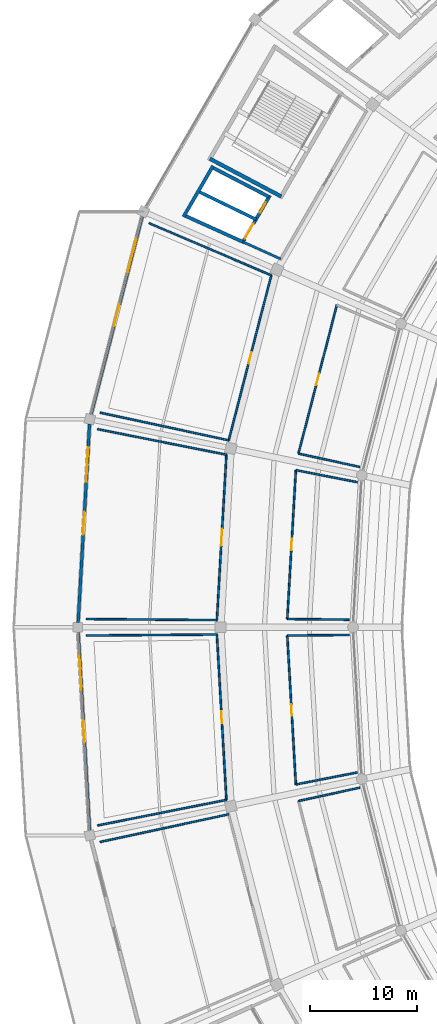
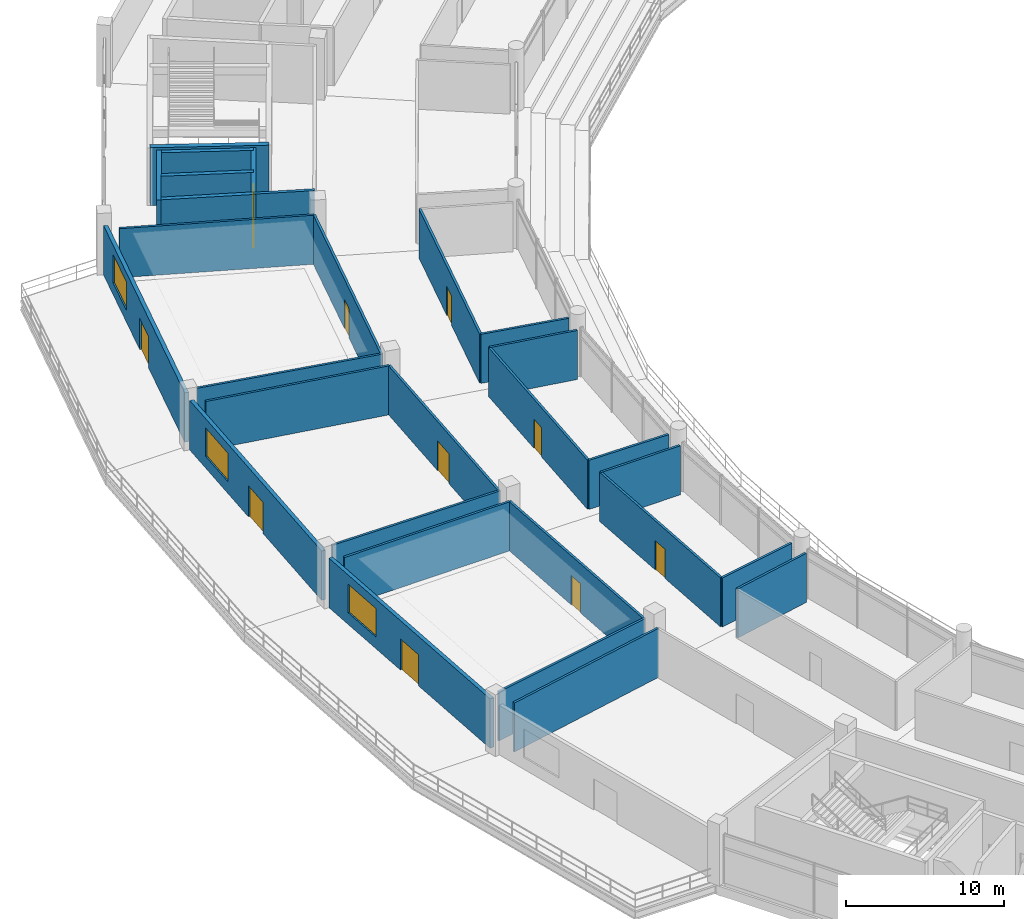
# One storey, part 131 of 171: 29 walls, 11 doors, 3 windows, 14 openings.
"""IFC4 building model written with IfcOpenShell, lengths in metres."""

from ifc_helpers import new_model, si_unit, direction, frame, frame_2d, origin, place, context, subcontext, project, spatial, rectangle, extrude, material, layer, layer_set, type_object, element, fill, save


model = new_model("IFC4")

# Units and contexts
model_context = context("Model", 3, precision=1e-05, world=origin(), true_north=direction((0.0, 1.0)))
body_context = subcontext(model_context, "Body", "Model", "MODEL_VIEW")
ifc_project = project(units=[si_unit("LENGTHUNIT", "METRE"), si_unit("AREAUNIT", "SQUARE_METRE"), si_unit("VOLUMEUNIT", "CUBIC_METRE"), si_unit("PLANEANGLEUNIT", "RADIAN"), si_unit("MASSUNIT", "GRAM", prefix="KILO")], contexts=[model_context])

# Site, building, storey
site_placement = place(None, origin())
site = spatial("IfcSite", under=ifc_project, at=site_placement, CompositionType="ELEMENT")
building_placement = place(site_placement, origin())
building = spatial("IfcBuilding", under=site, at=building_placement, Name="Kazemori Nagisa Stadium", CompositionType="ELEMENT")
storey_placement = place(building_placement, frame((0.0, 0.0, 15.639892578125)))
storey = spatial("IfcBuildingStorey", under=building, at=storey_placement, Name="L03", CompositionType="ELEMENT", Elevation=15.639892578125)

# Wall
ifc_material_1 = material(Name="Concrete C40/50 (Fc42)", Category="concrete")
ifc_layer_1 = layer(ifc_material_1, 0.35009765625, Name="Concrete C40/50 (Fc42)", Category="concrete")
ifc_layer_set_1 = layer_set([ifc_layer_1], Name="Concrete C40/50 (Fc42)")
wall_type_1 = type_object("IfcWallType", Name="Wall_W-CORE-350", PredefinedType="SHEAR", material=ifc_layer_set_1)
wall_1_placement = place(storey_placement, frame((46.958251953125, 142.15869140625, 0.0), z_axis=(0.0, 0.0, 1.0), x_axis=(-0.884271552762, 0.466973040952, 0.0)))
element("IfcWall", 1, at=wall_1_placement, inside=storey, type_object=wall_type_1, Name="Core stair right shear wall ST08 L03", PredefinedType="SHEAR", context=body_context, shape_type="SweptSolid", body=[
    extrude(rectangle(XDim=7.51953125, YDim=0.35009765625, at=frame_2d((3.759765625, 0.0))), origin(), (0.0, 0.0, 1.0), 4.460205078125),
])

# Wall, openings, door, window
ifc_material_2 = material(Name="Concrete C40/50 (Fc42) precast", Category="concrete")
ifc_layer_2 = layer(ifc_material_2, 0.27490234375, Name="Concrete C40/50 (Fc42) precast", Category="concrete")
ifc_layer_set_2 = layer_set([ifc_layer_2], Name="Concrete C40/50 (Fc42) precast")
wall_type_2 = type_object("IfcWallType", Name="Wall_W-EXT-275", PredefinedType="SOLIDWALL", material=ifc_layer_set_2)
wall_2_placement = place(storey_placement, frame((34.005126953125, 140.323486328125, 0.0), z_axis=(0.0, 0.0, 1.0), x_axis=(-0.2499638116, -0.968255179635, 0.0)))
wall_2 = element("IfcWall", 2, at=wall_2_placement, inside=storey, type_object=wall_type_2, Name="Exterior facade wall L03-13", PredefinedType="SOLIDWALL", context=body_context, shape_type="SweptSolid", body=[
    extrude(rectangle(XDim=19.106201171875, YDim=0.27490234375, at=frame_2d((9.55322265625, 0.0))), origin(), (0.0, 0.0, 1.0), 3.81005859375),
])
opening_1_placement = place(wall_2_placement, frame((8.5029296875, 0.0, 0.0)))
opening_1 = element("IfcOpeningElement", 3, at=opening_1_placement, cuts=wall_2, Name="Opening D-TERR-2100", PredefinedType="OPENING", context=body_context, shape_type="SweptSolid", body=[
    extrude(rectangle(XDim=2.10009765625, YDim=2.39990234375, at=frame_2d((1.050048828125, 1.199951171875))), frame((0.0, 0.1474609375, 0.0), z_axis=(0.0, -1.0, 0.0), x_axis=(1.0, 0.0, 0.0)), (0.0, 0.0, 1.0), 0.294921875),
])
opening_2_placement = place(wall_2_placement, frame((2.199951171875, 0.0, 0.89990234375)))
opening_2 = element("IfcOpeningElement", 4, at=opening_2_placement, cuts=wall_2, Name="Opening WIN-L03-3200", PredefinedType="OPENING", context=body_context, shape_type="SweptSolid", body=[
    extrude(rectangle(XDim=3.199951171875, YDim=2.199951171875, at=frame_2d((1.60009765625, 1.10009765625))), frame((0.0, 0.1474609375, 0.0), z_axis=(0.0, -1.0, 0.0), x_axis=(1.0, 0.0, 0.0)), (0.0, 0.0, 1.0), 0.294921875),
])
ifc_material_3 = material(Name="Anodised aluminium 6063-T5", Category="aluminium")
door_type_1 = type_object("IfcDoorType", Name="Door_D-TERR-2100", OperationType="NOTDEFINED", PredefinedType="DOOR", material=ifc_material_3)
door_1_placement = place(opening_1_placement, frame((2.10009765625, 0.0, 0.0), z_axis=(0.0, 0.0, 1.0), x_axis=(-1.0, 0.0, 0.0)))
door_1 = element("IfcDoor", 5, at=door_1_placement, inside=storey, type_object=door_type_1, Name="Boulevard club terrace door TD-13", OperationType="DOUBLE_DOOR_SINGLE_SWING", OverallHeight=2.39990234375, OverallWidth=2.10009765625, PredefinedType="DOOR", context=body_context, shape_type="SweptSolid", body=[
    extrude(rectangle(XDim=2.10009765625, YDim=2.39990234375, at=frame_2d((1.050048828125, 1.199951171875))), frame((0.0, 0.02490234375, 0.0), z_axis=(0.0, -1.0, 0.0), x_axis=(1.0, 0.0, 0.0)), (0.0, 0.0, 1.0), 0.050048828125),
])
fill(opening_1, door_1)
ifc_material_4 = material(Name="Low-e laminated double glazing", Category="glass")
window_type = type_object("IfcWindowType", Name="Window_WIN-L03-3200", PartitioningType="SINGLE_PANEL", PredefinedType="WINDOW", material=ifc_material_4)
window_1_placement = place(opening_2_placement, origin())
window_1 = element("IfcWindow", 6, at=window_1_placement, inside=storey, type_object=window_type, Name="Club lounge window L03-13", OverallHeight=2.199951171875, OverallWidth=3.199951171875, PartitioningType="SINGLE_PANEL", PredefinedType="WINDOW", context=body_context, shape_type="SweptSolid", body=[
    extrude(rectangle(XDim=3.199951171875, YDim=2.199951171875, at=frame_2d((1.60009765625, 1.10009765625))), frame((0.0, 0.030029296875, 0.0), z_axis=(0.0, -1.0, 0.0), x_axis=(1.0, 0.0, 0.0)), (0.0, 0.0, 1.0), 0.06005859375),
])
fill(opening_2, window_1)

wall_3_placement = place(storey_placement, frame((29.09375, 120.95849609375, 0.0), z_axis=(0.0, 0.0, 1.0), x_axis=(-0.05759325572, -0.998340130865, 0.0)))
wall_3 = element("IfcWall", 7, at=wall_3_placement, inside=storey, type_object=wall_type_2, Name="Exterior facade wall L03-14", PredefinedType="SOLIDWALL", context=body_context, shape_type="SweptSolid", body=[
    extrude(rectangle(XDim=18.550048828125, YDim=0.27490234375, at=frame_2d((9.27490234375, 0.0))), origin(), (0.0, 0.0, 1.0), 3.81005859375),
])
opening_3_placement = place(wall_3_placement, frame((8.22509765625, 0.0, 0.0)))
opening_3 = element("IfcOpeningElement", 8, at=opening_3_placement, cuts=wall_3, Name="Opening D-TERR-2100", PredefinedType="OPENING", context=body_context, shape_type="SweptSolid", body=[
    extrude(rectangle(XDim=2.10009765625, YDim=2.39990234375, at=frame_2d((1.050048828125, 1.199951171875))), frame((0.0, 0.1474609375, 0.0), z_axis=(0.0, -1.0, 0.0), x_axis=(1.0, 0.0, 0.0)), (0.0, 0.0, 1.0), 0.294921875),
])
opening_4_placement = place(wall_3_placement, frame((2.199951171875, 0.0, 0.89990234375)))
opening_4 = element("IfcOpeningElement", 9, at=opening_4_placement, cuts=wall_3, Name="Opening WIN-L03-3200", PredefinedType="OPENING", context=body_context, shape_type="SweptSolid", body=[
    extrude(rectangle(XDim=3.199951171875, YDim=2.199951171875, at=frame_2d((1.60009765625, 1.10009765625))), frame((0.0, 0.1474609375, 0.0), z_axis=(0.0, -1.0, 0.0), x_axis=(1.0, 0.0, 0.0)), (0.0, 0.0, 1.0), 0.294921875),
])
door_2_placement = place(opening_3_placement, frame((2.10009765625, 0.0, 0.0), z_axis=(0.0, 0.0, 1.0), x_axis=(-1.0, 0.0, 0.0)))
door_2 = element("IfcDoor", 10, at=door_2_placement, inside=storey, type_object=door_type_1, Name="Boulevard club terrace door TD-14", OperationType="DOUBLE_DOOR_SINGLE_SWING", OverallHeight=2.39990234375, OverallWidth=2.10009765625, PredefinedType="DOOR", context=body_context, shape_type="SweptSolid", body=[
    extrude(rectangle(XDim=2.10009765625, YDim=2.39990234375, at=frame_2d((1.050048828125, 1.199951171875))), frame((0.0, 0.02490234375, 0.0), z_axis=(0.0, -1.0, 0.0), x_axis=(1.0, 0.0, 0.0)), (0.0, 0.0, 1.0), 0.050048828125),
])
fill(opening_3, door_2)
window_2_placement = place(opening_4_placement, origin())
window_2 = element("IfcWindow", 11, at=window_2_placement, inside=storey, type_object=window_type, Name="Club lounge window L03-14", OverallHeight=2.199951171875, OverallWidth=3.199951171875, PartitioningType="SINGLE_PANEL", PredefinedType="WINDOW", context=body_context, shape_type="SweptSolid", body=[
    extrude(rectangle(XDim=3.199951171875, YDim=2.199951171875, at=frame_2d((1.60009765625, 1.10009765625))), frame((0.0, 0.030029296875, 0.0), z_axis=(0.0, -1.0, 0.0), x_axis=(1.0, 0.0, 0.0)), (0.0, 0.0, 1.0), 0.06005859375),
])
fill(opening_4, window_2)

wall_4_placement = place(storey_placement, frame((28.025390625, 101.560791015625, 0.0), z_axis=(0.0, 0.0, 1.0), x_axis=(0.05759325572, -0.998340130865, 0.0)))
wall_4 = element("IfcWall", 12, at=wall_4_placement, inside=storey, type_object=wall_type_2, Name="Exterior facade wall L03-15", PredefinedType="SOLIDWALL", context=body_context, shape_type="SweptSolid", body=[
    extrude(rectangle(XDim=18.550048828125, YDim=0.27490234375, at=frame_2d((9.27490234375, 0.0))), origin(), (0.0, 0.0, 1.0), 3.81005859375),
])
opening_5_placement = place(wall_4_placement, frame((8.22509765625, 0.0, 0.0)))
opening_5 = element("IfcOpeningElement", 13, at=opening_5_placement, cuts=wall_4, Name="Opening D-TERR-2100", PredefinedType="OPENING", context=body_context, shape_type="SweptSolid", body=[
    extrude(rectangle(XDim=2.10009765625, YDim=2.39990234375, at=frame_2d((1.050048828125, 1.199951171875))), frame((0.0, 0.1474609375, 0.0), z_axis=(0.0, -1.0, 0.0), x_axis=(1.0, 0.0, 0.0)), (0.0, 0.0, 1.0), 0.294921875),
])
opening_6_placement = place(wall_4_placement, frame((2.199951171875, 0.0, 0.89990234375)))
opening_6 = element("IfcOpeningElement", 14, at=opening_6_placement, cuts=wall_4, Name="Opening WIN-L03-3200", PredefinedType="OPENING", context=body_context, shape_type="SweptSolid", body=[
    extrude(rectangle(XDim=3.199951171875, YDim=2.199951171875, at=frame_2d((1.60009765625, 1.10009765625))), frame((0.0, 0.1474609375, 0.0), z_axis=(0.0, -1.0, 0.0), x_axis=(1.0, 0.0, 0.0)), (0.0, 0.0, 1.0), 0.294921875),
])
door_3_placement = place(opening_5_placement, frame((2.10009765625, 0.0, 0.0), z_axis=(0.0, 0.0, 1.0), x_axis=(-1.0, 0.0, 0.0)))
door_3 = element("IfcDoor", 15, at=door_3_placement, inside=storey, type_object=door_type_1, Name="Boulevard club terrace door TD-15", OperationType="DOUBLE_DOOR_SINGLE_SWING", OverallHeight=2.39990234375, OverallWidth=2.10009765625, PredefinedType="DOOR", context=body_context, shape_type="SweptSolid", body=[
    extrude(rectangle(XDim=2.10009765625, YDim=2.39990234375, at=frame_2d((1.050048828125, 1.199951171875))), frame((0.0, 0.02490234375, 0.0), z_axis=(0.0, -1.0, 0.0), x_axis=(1.0, 0.0, 0.0)), (0.0, 0.0, 1.0), 0.050048828125),
])
fill(opening_5, door_3)
window_3_placement = place(opening_6_placement, origin())
window_3 = element("IfcWindow", 16, at=window_3_placement, inside=storey, type_object=window_type, Name="Club lounge window L03-15", OverallHeight=2.199951171875, OverallWidth=3.199951171875, PartitioningType="SINGLE_PANEL", PredefinedType="WINDOW", context=body_context, shape_type="SweptSolid", body=[
    extrude(rectangle(XDim=3.199951171875, YDim=2.199951171875, at=frame_2d((1.60009765625, 1.10009765625))), frame((0.0, 0.030029296875, 0.0), z_axis=(0.0, -1.0, 0.0), x_axis=(1.0, 0.0, 0.0)), (0.0, 0.0, 1.0), 0.06005859375),
])
fill(opening_6, window_3)

# Wall
ifc_material_5 = material(Name="Concrete C36/45 (Fc36)", Category="concrete")
ifc_layer_3 = layer(ifc_material_5, 0.219970703125, Name="Concrete C36/45 (Fc36)", Category="concrete")
ifc_layer_set_3 = layer_set([ifc_layer_3], Name="Concrete C36/45 (Fc36)")
wall_type_3 = type_object("IfcWallType", Name="Wall_W-LOBBY-220", PredefinedType="SOLIDWALL", material=ifc_layer_set_3)
wall_5_placement = place(storey_placement, frame((46.91845703125, 136.328857421875, 0.0), z_axis=(0.0, 0.0, 1.0), x_axis=(-0.91149641055, 0.411308027582, 0.0)))
element("IfcWall", 17, at=wall_5_placement, inside=storey, type_object=wall_type_3, Name="Core lobby right wall ST08 L03", PredefinedType="SOLIDWALL", context=body_context, shape_type="SweptSolid", body=[
    extrude(rectangle(XDim=3.873046875, YDim=0.219970703125, at=frame_2d((1.9365234375, 0.0))), origin(), (0.0, 0.0, 1.0), 4.460205078125),
])

# Wall, opening, door
ifc_material_6 = material(Name="Gypsum plasterboard", Category="gypsum")
ifc_layer_4 = layer(ifc_material_6, 0.1650390625, Name="Gypsum plasterboard", Category="gypsum")
ifc_layer_set_4 = layer_set([ifc_layer_4], Name="Gypsum plasterboard")
wall_type_4 = type_object("IfcWallType", Name="Wall_W-PART-165", PredefinedType="PARTITIONING", material=ifc_layer_set_4)
wall_6_placement = place(storey_placement, frame((46.03076171875, 134.810791015625, 0.0), z_axis=(0.0, 0.0, 1.0), x_axis=(-0.249970043824, -0.968253570709, 0.0)))
wall_6 = element("IfcWall", 18, at=wall_6_placement, inside=storey, type_object=wall_type_4, Name="Room corridor partition L03-B13", PredefinedType="PARTITIONING", context=body_context, shape_type="SweptSolid", body=[
    extrude(rectangle(XDim=15.88671875, YDim=0.1650390625, at=frame_2d((7.943359375, 0.0))), origin(), (0.0, 0.0, 1.0), 3.780029296875),
])
opening_7_placement = place(wall_6_placement, frame((7.39306640625, 0.0, 0.0)))
opening_7 = element("IfcOpeningElement", 19, at=opening_7_placement, cuts=wall_6, Name="Opening D-SUI-1100", PredefinedType="OPENING", context=body_context, shape_type="SweptSolid", body=[
    extrude(rectangle(XDim=1.10009765625, YDim=2.25, at=frame_2d((0.550048828125, 1.125))), frame((0.0, 0.092529296875, 0.0), z_axis=(0.0, -1.0, 0.0), x_axis=(1.0, 0.0, 0.0)), (0.0, 0.0, 1.0), 0.18505859375),
])
ifc_material_7 = material(Name="Oak timber veneer", Category="wood")
door_type_2 = type_object("IfcDoorType", Name="Door_D-SUI-1100", OperationType="NOTDEFINED", PredefinedType="DOOR", material=ifc_material_7)
door_4_placement = place(opening_7_placement, origin())
door_4 = element("IfcDoor", 20, at=door_4_placement, inside=storey, type_object=door_type_2, Name="Room entrance door D-SUI-1100 L03-B13", OperationType="SINGLE_SWING_RIGHT", OverallHeight=2.25, OverallWidth=1.10009765625, PredefinedType="DOOR", context=body_context, shape_type="SweptSolid", body=[
    extrude(rectangle(XDim=1.10009765625, YDim=2.25, at=frame_2d((0.550048828125, 1.125))), frame((0.0, 0.02490234375, 0.0), z_axis=(0.0, -1.0, 0.0), x_axis=(1.0, 0.0, 0.0)), (0.0, 0.0, 1.0), 0.050048828125),
])
fill(opening_7, door_4)

# Walls
wall_7_placement = place(storey_placement, frame((46.03076171875, 134.810791015625, 0.0), z_axis=(0.0, 0.0, 1.0), x_axis=(-0.919905328402, 0.392140519173, 0.0)))
element("IfcWall", 21, at=wall_7_placement, inside=storey, type_object=wall_type_4, Name="Room radial partition L03-B13-L", PredefinedType="PARTITIONING", context=body_context, shape_type="SweptSolid", body=[
    extrude(rectangle(XDim=12.395751953125, YDim=0.1650390625, at=frame_2d((6.19775390625, 0.0))), origin(), (0.0, 0.0, 1.0), 3.780029296875),
])
wall_8_placement = place(storey_placement, frame((42.0595703125, 119.428466796875, 0.0), z_axis=(0.0, 0.0, 1.0), x_axis=(-0.97759337709, 0.210502230558, 0.0)))
element("IfcWall", 22, at=wall_8_placement, inside=storey, type_object=wall_type_4, Name="Room radial partition L03-B13-R", PredefinedType="PARTITIONING", context=body_context, shape_type="SweptSolid", body=[
    extrude(rectangle(XDim=12.26611328125, YDim=0.1650390625, at=frame_2d((6.133056640625, 0.0))), origin(), (0.0, 0.0, 1.0), 3.780029296875),
])

# Wall, opening, door
wall_9_placement = place(storey_placement, frame((41.848388671875, 118.089111328125, 0.0), z_axis=(0.0, 0.0, 1.0), x_axis=(-0.057603503798, -0.998339539611, 0.0)))
wall_9 = element("IfcWall", 23, at=wall_9_placement, inside=storey, type_object=wall_type_4, Name="Room corridor partition L03-B14", PredefinedType="PARTITIONING", context=body_context, shape_type="SweptSolid", body=[
    extrude(rectangle(XDim=15.4443359375, YDim=0.1650390625, at=frame_2d((7.72216796875, 0.0))), origin(), (0.0, 0.0, 1.0), 3.780029296875),
])
opening_8_placement = place(wall_9_placement, frame((6.922119140625, 0.0, 0.0)))
opening_8 = element("IfcOpeningElement", 24, at=opening_8_placement, cuts=wall_9, Name="Opening D-LNG-1600", PredefinedType="OPENING", context=body_context, shape_type="SweptSolid", body=[
    extrude(rectangle(XDim=1.60009765625, YDim=2.300048828125, at=frame_2d((0.800048828125, 1.14990234375))), frame((0.0, 0.092529296875, 0.0), z_axis=(0.0, -1.0, 0.0), x_axis=(1.0, 0.0, 0.0)), (0.0, 0.0, 1.0), 0.18505859375),
])
door_type_3 = type_object("IfcDoorType", Name="Door_D-LNG-1600", OperationType="NOTDEFINED", PredefinedType="DOOR", material=ifc_material_3)
door_5_placement = place(opening_8_placement, origin())
door_5 = element("IfcDoor", 25, at=door_5_placement, inside=storey, type_object=door_type_3, Name="Room entrance door D-LNG-1600 L03-B14", OperationType="DOUBLE_DOOR_SINGLE_SWING", OverallHeight=2.300048828125, OverallWidth=1.60009765625, PredefinedType="DOOR", context=body_context, shape_type="SweptSolid", body=[
    extrude(rectangle(XDim=1.60009765625, YDim=2.300048828125, at=frame_2d((0.800048828125, 1.14990234375))), frame((0.0, 0.02490234375, 0.0), z_axis=(0.0, -1.0, 0.0), x_axis=(1.0, 0.0, 0.0)), (0.0, 0.0, 1.0), 0.050048828125),
])
fill(opening_8, door_5)

# Walls
wall_10_placement = place(storey_placement, frame((41.848388671875, 118.089111328125, 0.0), z_axis=(0.0, 0.0, 1.0), x_axis=(-0.980904167784, 0.194491680088, 0.0)))
element("IfcWall", 26, at=wall_10_placement, inside=storey, type_object=wall_type_4, Name="Room radial partition L03-B14-L", PredefinedType="PARTITIONING", context=body_context, shape_type="SweptSolid", body=[
    extrude(rectangle(XDim=12.256591796875, YDim=0.1650390625, at=frame_2d((6.12841796875, 0.0))), origin(), (0.0, 0.0, 1.0), 3.780029296875),
])
wall_11_placement = place(storey_placement, frame((40.958740234375, 102.67041015625, 0.0), z_axis=(0.0, 0.0, 1.0), x_axis=(-0.999966583768, 0.008175044183, 0.0)))
element("IfcWall", 27, at=wall_11_placement, inside=storey, type_object=wall_type_4, Name="Room radial partition L03-B14-R", PredefinedType="PARTITIONING", context=body_context, shape_type="SweptSolid", body=[
    extrude(rectangle(XDim=12.15478515625, YDim=0.1650390625, at=frame_2d((6.077392578125, 0.0))), origin(), (0.0, 0.0, 1.0), 3.780029296875),
])

# Wall, opening, door
wall_12_placement = place(storey_placement, frame((40.958740234375, 101.32958984375, 0.0), z_axis=(0.0, 0.0, 1.0), x_axis=(0.057603503798, -0.998339539611, 0.0)))
wall_12 = element("IfcWall", 28, at=wall_12_placement, inside=storey, type_object=wall_type_4, Name="Room corridor partition L03-B15", PredefinedType="PARTITIONING", context=body_context, shape_type="SweptSolid", body=[
    extrude(rectangle(XDim=15.4443359375, YDim=0.1650390625, at=frame_2d((7.72216796875, 0.0))), origin(), (0.0, 0.0, 1.0), 3.780029296875),
])
opening_9_placement = place(wall_12_placement, frame((7.172119140625, 0.0, 0.0)))
opening_9 = element("IfcOpeningElement", 29, at=opening_9_placement, cuts=wall_12, Name="Opening D-SUI-1100", PredefinedType="OPENING", context=body_context, shape_type="SweptSolid", body=[
    extrude(rectangle(XDim=1.10009765625, YDim=2.25, at=frame_2d((0.550048828125, 1.125))), frame((0.0, 0.092529296875, 0.0), z_axis=(0.0, -1.0, 0.0), x_axis=(1.0, 0.0, 0.0)), (0.0, 0.0, 1.0), 0.18505859375),
])
door_6_placement = place(opening_9_placement, origin())
door_6 = element("IfcDoor", 30, at=door_6_placement, inside=storey, type_object=door_type_2, Name="Room entrance door D-SUI-1100 L03-B15", OperationType="SINGLE_SWING_LEFT", OverallHeight=2.25, OverallWidth=1.10009765625, PredefinedType="DOOR", context=body_context, shape_type="SweptSolid", body=[
    extrude(rectangle(XDim=1.10009765625, YDim=2.25, at=frame_2d((0.550048828125, 1.125))), frame((0.0, 0.02490234375, 0.0), z_axis=(0.0, -1.0, 0.0), x_axis=(1.0, 0.0, 0.0)), (0.0, 0.0, 1.0), 0.050048828125),
])
fill(opening_9, door_6)

# Walls
wall_13_placement = place(storey_placement, frame((40.958740234375, 101.32958984375, 0.0), z_axis=(0.0, 0.0, 1.0), x_axis=(-0.999966583768, -0.008175044183, 0.0)))
element("IfcWall", 31, at=wall_13_placement, inside=storey, type_object=wall_type_4, Name="Room radial partition L03-B15-L", PredefinedType="PARTITIONING", context=body_context, shape_type="SweptSolid", body=[
    extrude(rectangle(XDim=12.15478515625, YDim=0.1650390625, at=frame_2d((6.077392578125, 0.0))), origin(), (0.0, 0.0, 1.0), 3.780029296875),
])
wall_14_placement = place(storey_placement, frame((41.848388671875, 85.910888671875, 0.0), z_axis=(0.0, 0.0, 1.0), x_axis=(-0.980904167784, -0.194491680088, 0.0)))
element("IfcWall", 32, at=wall_14_placement, inside=storey, type_object=wall_type_4, Name="Room radial partition L03-B15-R", PredefinedType="PARTITIONING", context=body_context, shape_type="SweptSolid", body=[
    extrude(rectangle(XDim=12.256591796875, YDim=0.1650390625, at=frame_2d((6.12841796875, 0.0))), origin(), (0.0, 0.0, 1.0), 3.780029296875),
])
wall_15_placement = place(storey_placement, frame((42.0595703125, 84.571533203125, 0.0), z_axis=(0.0, 0.0, 1.0), x_axis=(-0.97759337709, -0.210502230558, 0.0)))
element("IfcWall", 33, at=wall_15_placement, inside=storey, type_object=wall_type_4, Name="Room radial partition L03-B16-L", PredefinedType="PARTITIONING", context=body_context, shape_type="SweptSolid", body=[
    extrude(rectangle(XDim=12.26611328125, YDim=0.1650390625, at=frame_2d((6.133056640625, 0.0))), origin(), (0.0, 0.0, 1.0), 3.780029296875),
])

# Wall, opening, door
wall_16_placement = place(storey_placement, frame((52.137939453125, 132.03662109375, 0.0), z_axis=(0.0, 0.0, 1.0), x_axis=(-0.24997612238, -0.968252001413, 0.0)))
wall_16 = element("IfcWall", 34, at=wall_16_placement, inside=storey, type_object=wall_type_4, Name="Bowl hospitality suite partition L03-B13", PredefinedType="PARTITIONING", context=body_context, shape_type="SweptSolid", body=[
    extrude(rectangle(XDim=14.30029296875, YDim=0.1650390625, at=frame_2d((7.150146484375, 0.0))), origin(), (0.0, 0.0, 1.0), 3.780029296875),
])
opening_10_placement = place(wall_16_placement, frame((6.60009765625, 0.0, 0.0)))
opening_10 = element("IfcOpeningElement", 35, at=opening_10_placement, cuts=wall_16, Name="Opening D-SUI-1100", PredefinedType="OPENING", context=body_context, shape_type="SweptSolid", body=[
    extrude(rectangle(XDim=1.10009765625, YDim=2.25, at=frame_2d((0.550048828125, 1.125))), frame((0.0, 0.092529296875, 0.0), z_axis=(0.0, -1.0, 0.0), x_axis=(1.0, 0.0, 0.0)), (0.0, 0.0, 1.0), 0.18505859375),
])
door_7_placement = place(opening_10_placement, origin())
door_7 = element("IfcDoor", 36, at=door_7_placement, inside=storey, type_object=door_type_2, Name="Bowl hospitality suite door L03-B13", OperationType="SINGLE_SWING_LEFT", OverallHeight=2.25, OverallWidth=1.10009765625, PredefinedType="DOOR", context=body_context, shape_type="SweptSolid", body=[
    extrude(rectangle(XDim=1.10009765625, YDim=2.25, at=frame_2d((0.550048828125, 1.125))), frame((0.0, 0.02490234375, 0.0), z_axis=(0.0, -1.0, 0.0), x_axis=(1.0, 0.0, 0.0)), (0.0, 0.0, 1.0), 0.050048828125),
])
fill(opening_10, door_7)

# Wall
wall_17_placement = place(storey_placement, frame((48.563232421875, 118.1904296875, 0.0), z_axis=(0.0, 0.0, 1.0), x_axis=(0.977149214651, -0.212554492557, 0.0)))
element("IfcWall", 37, at=wall_17_placement, inside=storey, type_object=wall_type_4, Name="Bowl hospitality suite divider L03-B13R", PredefinedType="PARTITIONING", context=body_context, shape_type="SweptSolid", body=[
    extrude(rectangle(XDim=5.84521484375, YDim=0.1650390625, at=frame_2d((2.922607421875, 0.0))), origin(), (0.0, 0.0, 1.0), 3.780029296875),
])

# Wall, opening, door
wall_18_placement = place(storey_placement, frame((48.3203125, 116.650146484375, 0.0), z_axis=(0.0, 0.0, 1.0), x_axis=(-0.057600910845, -0.998339689219, 0.0)))
wall_18 = element("IfcWall", 38, at=wall_18_placement, inside=storey, type_object=wall_type_4, Name="Bowl hospitality suite partition L03-B14", PredefinedType="PARTITIONING", context=body_context, shape_type="SweptSolid", body=[
    extrude(rectangle(XDim=13.90234375, YDim=0.1650390625, at=frame_2d((6.951171875, 0.0))), origin(), (0.0, 0.0, 1.0), 3.780029296875),
])
opening_11_placement = place(wall_18_placement, frame((6.40087890625, 0.0, 0.0)))
opening_11 = element("IfcOpeningElement", 39, at=opening_11_placement, cuts=wall_18, Name="Opening D-SUI-1100", PredefinedType="OPENING", context=body_context, shape_type="SweptSolid", body=[
    extrude(rectangle(XDim=1.10009765625, YDim=2.25, at=frame_2d((0.550048828125, 1.125))), frame((0.0, 0.092529296875, 0.0), z_axis=(0.0, -1.0, 0.0), x_axis=(1.0, 0.0, 0.0)), (0.0, 0.0, 1.0), 0.18505859375),
])
door_8_placement = place(opening_11_placement, origin())
door_8 = element("IfcDoor", 40, at=door_8_placement, inside=storey, type_object=door_type_2, Name="Bowl hospitality suite door L03-B14", OperationType="SINGLE_SWING_RIGHT", OverallHeight=2.25, OverallWidth=1.10009765625, PredefinedType="DOOR", context=body_context, shape_type="SweptSolid", body=[
    extrude(rectangle(XDim=1.10009765625, YDim=2.25, at=frame_2d((0.550048828125, 1.125))), frame((0.0, 0.02490234375, 0.0), z_axis=(0.0, -1.0, 0.0), x_axis=(1.0, 0.0, 0.0)), (0.0, 0.0, 1.0), 0.050048828125),
])
fill(opening_11, door_8)

# Walls
wall_19_placement = place(storey_placement, frame((48.3203125, 116.650146484375, 0.0), z_axis=(0.0, 0.0, 1.0), x_axis=(0.981299196532, -0.192488666901, 0.0)))
element("IfcWall", 41, at=wall_19_placement, inside=storey, type_object=wall_type_4, Name="Bowl hospitality suite divider L03-B14L", PredefinedType="PARTITIONING", context=body_context, shape_type="SweptSolid", body=[
    extrude(rectangle(XDim=5.83935546875, YDim=0.1650390625, at=frame_2d((2.919677734375, 0.0))), origin(), (0.0, 0.0, 1.0), 3.780029296875),
])
wall_20_placement = place(storey_placement, frame((47.51953125, 102.77099609375, 0.0), z_axis=(0.0, 0.0, 1.0), x_axis=(0.999947968753, -0.01020096992, 0.0)))
element("IfcWall", 42, at=wall_20_placement, inside=storey, type_object=wall_type_4, Name="Bowl hospitality suite divider L03-B14R", PredefinedType="PARTITIONING", context=body_context, shape_type="SweptSolid", body=[
    extrude(rectangle(XDim=5.791748046875, YDim=0.1650390625, at=frame_2d((2.89599609375, 0.0))), origin(), (0.0, 0.0, 1.0), 3.780029296875),
])

# Wall, opening, door
wall_21_placement = place(storey_placement, frame((47.51953125, 101.22900390625, 0.0), z_axis=(0.0, 0.0, 1.0), x_axis=(0.057600910845, -0.998339689219, 0.0)))
wall_21 = element("IfcWall", 43, at=wall_21_placement, inside=storey, type_object=wall_type_4, Name="Bowl hospitality suite partition L03-B15", PredefinedType="PARTITIONING", context=body_context, shape_type="SweptSolid", body=[
    extrude(rectangle(XDim=13.90234375, YDim=0.1650390625, at=frame_2d((6.951171875, 0.0))), origin(), (0.0, 0.0, 1.0), 3.780029296875),
])
opening_12_placement = place(wall_21_placement, frame((6.40087890625, 0.0, 0.0)))
opening_12 = element("IfcOpeningElement", 44, at=opening_12_placement, cuts=wall_21, Name="Opening D-SUI-1100", PredefinedType="OPENING", context=body_context, shape_type="SweptSolid", body=[
    extrude(rectangle(XDim=1.10009765625, YDim=2.25, at=frame_2d((0.550048828125, 1.125))), frame((0.0, 0.092529296875, 0.0), z_axis=(0.0, -1.0, 0.0), x_axis=(1.0, 0.0, 0.0)), (0.0, 0.0, 1.0), 0.18505859375),
])
door_9_placement = place(opening_12_placement, origin())
door_9 = element("IfcDoor", 45, at=door_9_placement, inside=storey, type_object=door_type_2, Name="Bowl hospitality suite door L03-B15", OperationType="SINGLE_SWING_LEFT", OverallHeight=2.25, OverallWidth=1.10009765625, PredefinedType="DOOR", context=body_context, shape_type="SweptSolid", body=[
    extrude(rectangle(XDim=1.10009765625, YDim=2.25, at=frame_2d((0.550048828125, 1.125))), frame((0.0, 0.02490234375, 0.0), z_axis=(0.0, -1.0, 0.0), x_axis=(1.0, 0.0, 0.0)), (0.0, 0.0, 1.0), 0.050048828125),
])
fill(opening_12, door_9)

# Walls
wall_22_placement = place(storey_placement, frame((47.51953125, 101.22900390625, 0.0), z_axis=(0.0, 0.0, 1.0), x_axis=(0.999947968753, 0.01020096992, 0.0)))
element("IfcWall", 46, at=wall_22_placement, inside=storey, type_object=wall_type_4, Name="Bowl hospitality suite divider L03-B15L", PredefinedType="PARTITIONING", context=body_context, shape_type="SweptSolid", body=[
    extrude(rectangle(XDim=5.791748046875, YDim=0.1650390625, at=frame_2d((2.89599609375, 0.0))), origin(), (0.0, 0.0, 1.0), 3.780029296875),
])
wall_23_placement = place(storey_placement, frame((48.3203125, 87.349853515625, 0.0), z_axis=(0.0, 0.0, 1.0), x_axis=(0.981299196532, 0.192488666901, 0.0)))
element("IfcWall", 47, at=wall_23_placement, inside=storey, type_object=wall_type_4, Name="Bowl hospitality suite divider L03-B15R", PredefinedType="PARTITIONING", context=body_context, shape_type="SweptSolid", body=[
    extrude(rectangle(XDim=5.83935546875, YDim=0.1650390625, at=frame_2d((2.919677734375, 0.0))), origin(), (0.0, 0.0, 1.0), 3.780029296875),
])
wall_24_placement = place(storey_placement, frame((48.563232421875, 85.8095703125, 0.0), z_axis=(0.0, 0.0, 1.0), x_axis=(0.977149214651, 0.212554492557, 0.0)))
element("IfcWall", 48, at=wall_24_placement, inside=storey, type_object=wall_type_4, Name="Bowl hospitality suite divider L03-B16L", PredefinedType="PARTITIONING", context=body_context, shape_type="SweptSolid", body=[
    extrude(rectangle(XDim=5.84521484375, YDim=0.1650390625, at=frame_2d((2.922607421875, 0.0))), origin(), (0.0, 0.0, 1.0), 3.780029296875),
])

# Wall, openings, doors
ifc_layer_5 = layer(ifc_material_1, 0.300048828125, Name="Concrete C40/50 (Fc42)", Category="concrete")
ifc_layer_set_5 = layer_set([ifc_layer_5], Name="Concrete C40/50 (Fc42)")
wall_type_5 = type_object("IfcWallType", Name="Wall_W-SHAFT-300", PredefinedType="SHEAR", material=ifc_layer_set_5)
wall_25_placement = place(storey_placement, frame((45.89990234375, 142.253662109375, 0.0), z_axis=(0.0, 0.0, 1.0), x_axis=(-0.501629534056, -0.86508254552, 0.0)))
wall_25 = element("IfcWall", 49, at=wall_25_placement, inside=storey, type_object=wall_type_5, Name="Lift shaft front wall LP6 L03", PredefinedType="SHEAR", context=body_context, shape_type="SweptSolid", body=[
    extrude(rectangle(XDim=5.157470703125, YDim=0.300048828125, at=frame_2d((2.57861328125, 0.0))), origin(), (0.0, 0.0, 1.0), 4.460205078125),
])
opening_13_placement = place(wall_25_placement, frame((0.76611328125, 0.0, 0.0)))
opening_13 = element("IfcOpeningElement", 50, at=opening_13_placement, cuts=wall_25, Name="Opening LD-PAX", PredefinedType="OPENING", context=body_context, shape_type="SweptSolid", body=[
    extrude(rectangle(XDim=1.10009765625, YDim=2.199951171875, at=frame_2d((0.550048828125, 1.10009765625))), frame((0.0, 0.159912109375, 0.0), z_axis=(0.0, -1.0, 0.0), x_axis=(1.0, 0.0, 0.0)), (0.0, 0.0, 1.0), 0.320068359375),
])
opening_14_placement = place(wall_25_placement, frame((3.0419921875, 0.0, 0.0)))
opening_14 = element("IfcOpeningElement", 51, at=opening_14_placement, cuts=wall_25, Name="Opening LD-GDS", PredefinedType="OPENING", context=body_context, shape_type="SweptSolid", body=[
    extrude(rectangle(XDim=1.60009765625, YDim=2.300048828125, at=frame_2d((0.800048828125, 1.14990234375))), frame((0.0, 0.159912109375, 0.0), z_axis=(0.0, -1.0, 0.0), x_axis=(1.0, 0.0, 0.0)), (0.0, 0.0, 1.0), 0.320068359375),
])
ifc_material_8 = material(Name="Stainless steel SUS304", Category="steel")
door_type_4 = type_object("IfcDoorType", Name="Door_LD-GDS", OperationType="SLIDING_TO_LEFT", PredefinedType="DOOR", material=ifc_material_8)
door_10_placement = place(opening_14_placement, origin())
door_10 = element("IfcDoor", 52, at=door_10_placement, inside=storey, type_object=door_type_4, Name="Lift landing door LG1-L03", OperationType="SLIDING_TO_LEFT", OverallHeight=2.300048828125, OverallWidth=1.60009765625, PredefinedType="DOOR", context=body_context, shape_type="SweptSolid", body=[
    extrude(rectangle(XDim=1.60009765625, YDim=2.300048828125, at=frame_2d((0.800048828125, 1.14990234375))), frame((0.0, 0.02490234375, 0.0), z_axis=(0.0, -1.0, 0.0), x_axis=(1.0, 0.0, 0.0)), (0.0, 0.0, 1.0), 0.050048828125),
])
fill(opening_14, door_10)
door_type_5 = type_object("IfcDoorType", Name="Door_LD-PAX", OperationType="SLIDING_TO_RIGHT", PredefinedType="DOOR", material=ifc_material_8)
door_11_placement = place(opening_13_placement, origin())
door_11 = element("IfcDoor", 53, at=door_11_placement, inside=storey, type_object=door_type_5, Name="Lift landing door LP6-L03", OperationType="SLIDING_TO_RIGHT", OverallHeight=2.199951171875, OverallWidth=1.10009765625, PredefinedType="DOOR", context=body_context, shape_type="SweptSolid", body=[
    extrude(rectangle(XDim=1.10009765625, YDim=2.199951171875, at=frame_2d((0.550048828125, 1.10009765625))), frame((0.0, 0.02490234375, 0.0), z_axis=(0.0, -1.0, 0.0), x_axis=(1.0, 0.0, 0.0)), (0.0, 0.0, 1.0), 0.050048828125),
])
fill(opening_13, door_11)

# Walls
wall_26_placement = place(storey_placement, frame((40.59521484375, 145.01171875, 0.0), z_axis=(0.0, 0.0, 1.0), x_axis=(-0.501630260479, -0.865082124293, 0.0)))
element("IfcWall", 54, at=wall_26_placement, inside=storey, type_object=wall_type_5, Name="Lift shaft B wall LP6 L03", PredefinedType="SHEAR", context=body_context, shape_type="SweptSolid", body=[
    extrude(rectangle(XDim=5.491455078125, YDim=0.300048828125, at=frame_2d((2.74560546875, 0.0))), origin(), (0.0, 0.0, 1.0), 4.460205078125),
])
wall_27_placement = place(storey_placement, frame((45.82470703125, 142.1240234375, 0.0), z_axis=(0.0, 0.0, 1.0), x_axis=(-0.887268274556, 0.461253735992, 0.0)))
element("IfcWall", 55, at=wall_27_placement, inside=storey, type_object=wall_type_5, Name="Lift shaft L wall LP6 L03", PredefinedType="SHEAR", context=body_context, shape_type="SweptSolid", body=[
    extrude(rectangle(XDim=5.97900390625, YDim=0.300048828125, at=frame_2d((2.989501953125, 0.0))), origin(), (0.0, 0.0, 1.0), 4.460205078125),
])
wall_28_placement = place(storey_placement, frame((43.38818359375, 137.921875, 0.0), z_axis=(0.0, 0.0, 1.0), x_axis=(-0.911521602376, 0.41125219562, 0.0)))
element("IfcWall", 56, at=wall_28_placement, inside=storey, type_object=wall_type_5, Name="Lift shaft R wall LP6 L03", PredefinedType="SHEAR", context=body_context, shape_type="SweptSolid", body=[
    extrude(rectangle(XDim=6.003662109375, YDim=0.300048828125, at=frame_2d((3.001953125, 0.0))), origin(), (0.0, 0.0, 1.0), 4.460205078125),
])
wall_29_placement = place(storey_placement, frame((44.6064453125, 140.02294921875, 0.0), z_axis=(0.0, 0.0, 1.0), x_axis=(-0.899759302591, 0.436386522936, 0.0)))
element("IfcWall", 57, at=wall_29_placement, inside=storey, type_object=wall_type_5, Name="Lift shaft divider wall LP6-LG1 L03", PredefinedType="SHEAR", context=body_context, shape_type="SweptSolid", body=[
    extrude(rectangle(XDim=5.989013671875, YDim=0.300048828125, at=frame_2d((2.99462890625, 0.0))), origin(), (0.0, 0.0, 1.0), 4.460205078125),
])

save(model, "model.ifc")
